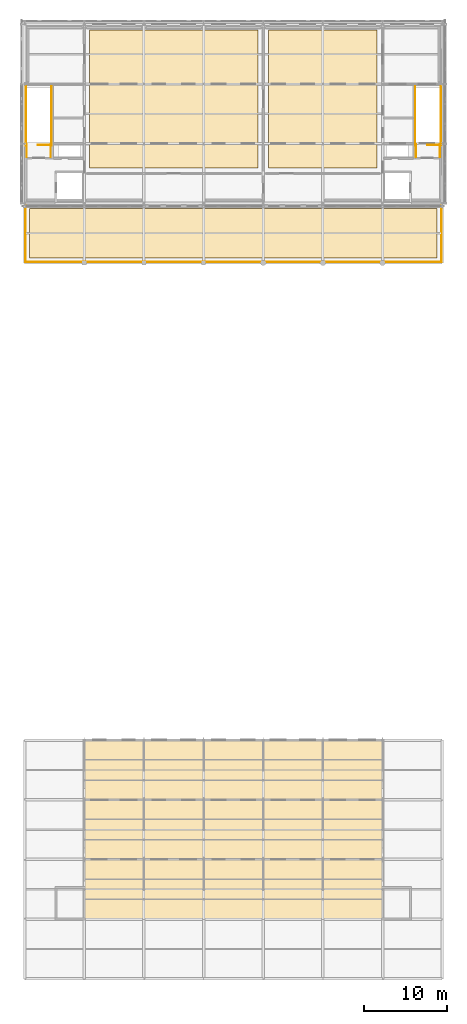
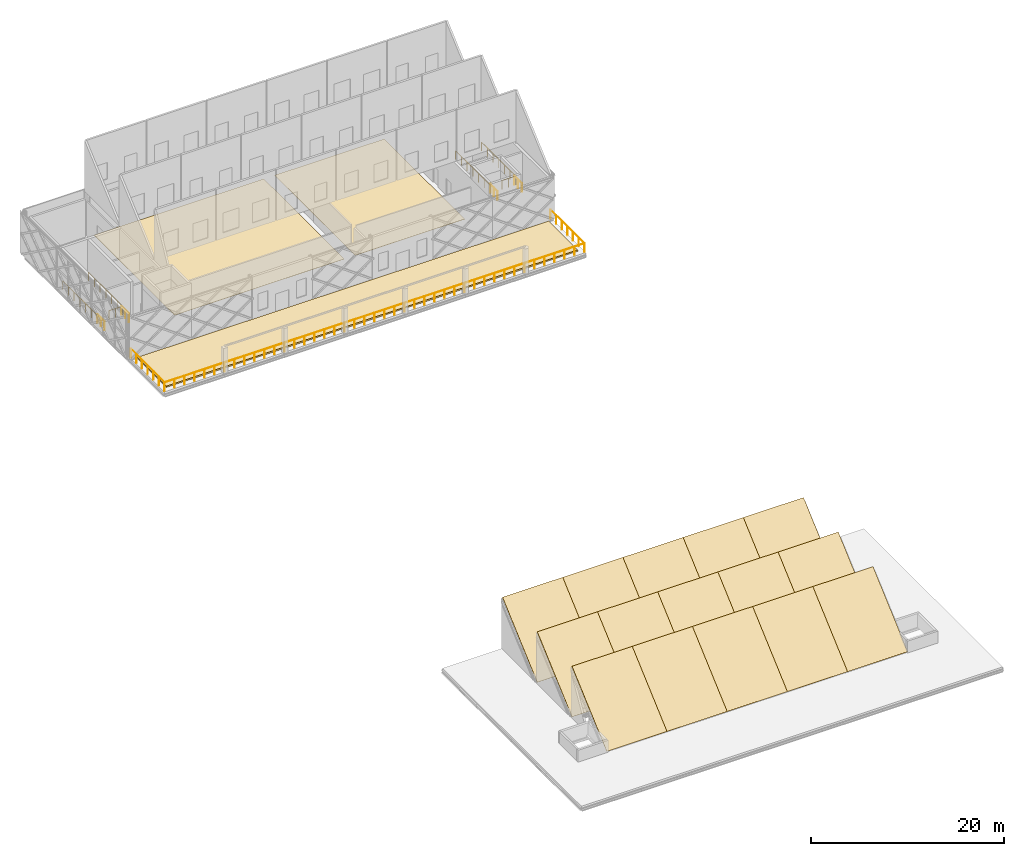
# One storey, part 31 of 31: 18 coverings, 11 railings, 15 elements without a shape of their own.
"""IFC4 building model written with IfcOpenShell, lengths in metres."""

from ifc_helpers import new_model, si_unit, direction, frame, origin, origin_2d, place, context, subcontext, project, spatial, polyline, circle, outline, extrude, material, layer, layer_set, type_object, element, aggregate, save


model = new_model("IFC4")

# Units and contexts
model_context = context("Model", 3, precision=1e-05, world=origin(), true_north=direction((0.0, 1.0)))
body_context = subcontext(model_context, "Body", "Model", "MODEL_VIEW")
ifc_project = project(units=[si_unit("LENGTHUNIT", "METRE"), si_unit("AREAUNIT", "SQUARE_METRE"), si_unit("VOLUMEUNIT", "CUBIC_METRE"), si_unit("PLANEANGLEUNIT", "RADIAN"), si_unit("MASSUNIT", "GRAM", prefix="KILO")], contexts=[model_context])

# Site, building, storey
site_placement = place(None, origin())
site = spatial("IfcSite", under=ifc_project, at=site_placement, CompositionType="ELEMENT")
building_placement = place(site_placement, origin())
building = spatial("IfcBuilding", under=site, at=building_placement, Name="Zlatovets Crest Museum", CompositionType="ELEMENT")
storey_placement = place(building_placement, frame((0.0, 0.0, 25.199951171875)))
storey = spatial("IfcBuildingStorey", under=building, at=storey_placement, Name="L05", CompositionType="ELEMENT", Elevation=25.199951171875)

# Railing
ifc_material_1 = material(Name="Patinated bronze and laminated glass balustrade", Category="glass")
railing_type_1 = type_object("IfcRailingType", Name="Balustrade_BL01", PredefinedType="BALUSTRADE", material=ifc_material_1)
railing_1_placement = place(storey_placement, frame((57.699951171875, 93.5, 0.0)))
element("IfcRailing", 1, at=railing_1_placement, inside=storey, type_object=railing_type_1, Name="L05 Crest Belvedere Terrace Guard BL-01", PredefinedType="BALUSTRADE", context=body_context, shape_type="SweptSolid", body=[
    extrude(circle(Radius=0.02392578125, at=origin_2d()), frame((0.0, 0.0, 1.1259765625), z_axis=(0.0, -1.0, 0.0), x_axis=(1.0, 0.0, 0.0)), (0.0, 0.0, 1.0), 7.0),
    extrude(circle(Radius=0.02392578125, at=origin_2d()), frame((0.0, -7.0, 1.1259765625), z_axis=(1.0, 0.0, 0.0), x_axis=(0.0, 1.0, 0.0)), (0.0, 0.0, 1.0), 50.199951171875),
    extrude(circle(Radius=0.02392578125, at=origin_2d()), frame((50.199951171875, -7.0, 1.1259765625), z_axis=(0.0, 1.0, 0.0), x_axis=(-1.0, 0.0, 0.0)), (0.0, 0.0, 1.0), 7.0),
    extrude(circle(Radius=0.02099609375, at=origin_2d()), origin(), (0.0, 0.0, 1.0), 1.101806640625),
    extrude(circle(Radius=0.02099609375, at=origin_2d()), frame((0.0, -1.166748046875, 0.0)), (0.0, 0.0, 1.0), 1.101806640625),
    extrude(circle(Radius=0.02099609375, at=origin_2d()), frame((0.0, -2.333251953125, 0.0)), (0.0, 0.0, 1.0), 1.101806640625),
    extrude(circle(Radius=0.02099609375, at=origin_2d()), frame((0.0, -3.5, 0.0)), (0.0, 0.0, 1.0), 1.101806640625),
    extrude(circle(Radius=0.02099609375, at=origin_2d()), frame((0.0, -4.666748046875, 0.0)), (0.0, 0.0, 1.0), 1.101806640625),
    extrude(circle(Radius=0.02099609375, at=origin_2d()), frame((0.0, -5.833251953125, 0.0)), (0.0, 0.0, 1.0), 1.101806640625),
    extrude(circle(Radius=0.02099609375, at=origin_2d()), frame((0.0, -7.0, 0.0)), (0.0, 0.0, 1.0), 1.101806640625),
    extrude(circle(Radius=0.02099609375, at=origin_2d()), frame((1.1953125, -7.0, 0.0)), (0.0, 0.0, 1.0), 1.101806640625),
    extrude(circle(Radius=0.02099609375, at=origin_2d()), frame((2.390380859375, -7.0, 0.0)), (0.0, 0.0, 1.0), 1.101806640625),
    extrude(circle(Radius=0.02099609375, at=origin_2d()), frame((3.585693359375, -7.0, 0.0)), (0.0, 0.0, 1.0), 1.101806640625),
    extrude(circle(Radius=0.02099609375, at=origin_2d()), frame((4.781005859375, -7.0, 0.0)), (0.0, 0.0, 1.0), 1.101806640625),
    extrude(circle(Radius=0.02099609375, at=origin_2d()), frame((5.97607421875, -7.0, 0.0)), (0.0, 0.0, 1.0), 1.101806640625),
    extrude(circle(Radius=0.02099609375, at=origin_2d()), frame((7.17138671875, -7.0, 0.0)), (0.0, 0.0, 1.0), 1.101806640625),
    extrude(circle(Radius=0.02099609375, at=origin_2d()), frame((8.36669921875, -7.0, 0.0)), (0.0, 0.0, 1.0), 1.101806640625),
    extrude(circle(Radius=0.02099609375, at=origin_2d()), frame((9.56201171875, -7.0, 0.0)), (0.0, 0.0, 1.0), 1.101806640625),
    extrude(circle(Radius=0.02099609375, at=origin_2d()), frame((10.757080078125, -7.0, 0.0)), (0.0, 0.0, 1.0), 1.101806640625),
    extrude(circle(Radius=0.02099609375, at=origin_2d()), frame((11.952392578125, -7.0, 0.0)), (0.0, 0.0, 1.0), 1.101806640625),
    extrude(circle(Radius=0.02099609375, at=origin_2d()), frame((13.147705078125, -7.0, 0.0)), (0.0, 0.0, 1.0), 1.101806640625),
    extrude(circle(Radius=0.02099609375, at=origin_2d()), frame((14.3427734375, -7.0, 0.0)), (0.0, 0.0, 1.0), 1.101806640625),
    extrude(circle(Radius=0.02099609375, at=origin_2d()), frame((15.5380859375, -7.0, 0.0)), (0.0, 0.0, 1.0), 1.101806640625),
    extrude(circle(Radius=0.02099609375, at=origin_2d()), frame((16.7333984375, -7.0, 0.0)), (0.0, 0.0, 1.0), 1.101806640625),
    extrude(circle(Radius=0.02099609375, at=origin_2d()), frame((17.928466796875, -7.0, 0.0)), (0.0, 0.0, 1.0), 1.101806640625),
    extrude(circle(Radius=0.02099609375, at=origin_2d()), frame((19.123779296875, -7.0, 0.0)), (0.0, 0.0, 1.0), 1.101806640625),
    extrude(circle(Radius=0.02099609375, at=origin_2d()), frame((20.319091796875, -7.0, 0.0)), (0.0, 0.0, 1.0), 1.101806640625),
    extrude(circle(Radius=0.02099609375, at=origin_2d()), frame((21.51416015625, -7.0, 0.0)), (0.0, 0.0, 1.0), 1.101806640625),
    extrude(circle(Radius=0.02099609375, at=origin_2d()), frame((22.70947265625, -7.0, 0.0)), (0.0, 0.0, 1.0), 1.101806640625),
    extrude(circle(Radius=0.02099609375, at=origin_2d()), frame((23.90478515625, -7.0, 0.0)), (0.0, 0.0, 1.0), 1.101806640625),
    extrude(circle(Radius=0.02099609375, at=origin_2d()), frame((25.10009765625, -7.0, 0.0)), (0.0, 0.0, 1.0), 1.101806640625),
    extrude(circle(Radius=0.02099609375, at=origin_2d()), frame((26.295166015625, -7.0, 0.0)), (0.0, 0.0, 1.0), 1.101806640625),
    extrude(circle(Radius=0.02099609375, at=origin_2d()), frame((27.490478515625, -7.0, 0.0)), (0.0, 0.0, 1.0), 1.101806640625),
    extrude(circle(Radius=0.02099609375, at=origin_2d()), frame((28.685791015625, -7.0, 0.0)), (0.0, 0.0, 1.0), 1.101806640625),
    extrude(circle(Radius=0.02099609375, at=origin_2d()), frame((29.880859375, -7.0, 0.0)), (0.0, 0.0, 1.0), 1.101806640625),
    extrude(circle(Radius=0.02099609375, at=origin_2d()), frame((31.076171875, -7.0, 0.0)), (0.0, 0.0, 1.0), 1.101806640625),
    extrude(circle(Radius=0.02099609375, at=origin_2d()), frame((32.271484375, -7.0, 0.0)), (0.0, 0.0, 1.0), 1.101806640625),
    extrude(circle(Radius=0.02099609375, at=origin_2d()), frame((33.466552734375, -7.0, 0.0)), (0.0, 0.0, 1.0), 1.101806640625),
    extrude(circle(Radius=0.02099609375, at=origin_2d()), frame((34.661865234375, -7.0, 0.0)), (0.0, 0.0, 1.0), 1.101806640625),
    extrude(circle(Radius=0.02099609375, at=origin_2d()), frame((35.857177734375, -7.0, 0.0)), (0.0, 0.0, 1.0), 1.101806640625),
    extrude(circle(Radius=0.02099609375, at=origin_2d()), frame((37.05224609375, -7.0, 0.0)), (0.0, 0.0, 1.0), 1.101806640625),
    extrude(circle(Radius=0.02099609375, at=origin_2d()), frame((38.24755859375, -7.0, 0.0)), (0.0, 0.0, 1.0), 1.101806640625),
    extrude(circle(Radius=0.02099609375, at=origin_2d()), frame((39.44287109375, -7.0, 0.0)), (0.0, 0.0, 1.0), 1.101806640625),
    extrude(circle(Radius=0.02099609375, at=origin_2d()), frame((40.637939453125, -7.0, 0.0)), (0.0, 0.0, 1.0), 1.101806640625),
    extrude(circle(Radius=0.02099609375, at=origin_2d()), frame((41.833251953125, -7.0, 0.0)), (0.0, 0.0, 1.0), 1.101806640625),
    extrude(circle(Radius=0.02099609375, at=origin_2d()), frame((43.028564453125, -7.0, 0.0)), (0.0, 0.0, 1.0), 1.101806640625),
    extrude(circle(Radius=0.02099609375, at=origin_2d()), frame((44.223876953125, -7.0, 0.0)), (0.0, 0.0, 1.0), 1.101806640625),
    extrude(circle(Radius=0.02099609375, at=origin_2d()), frame((45.4189453125, -7.0, 0.0)), (0.0, 0.0, 1.0), 1.101806640625),
    extrude(circle(Radius=0.02099609375, at=origin_2d()), frame((46.6142578125, -7.0, 0.0)), (0.0, 0.0, 1.0), 1.101806640625),
    extrude(circle(Radius=0.02099609375, at=origin_2d()), frame((47.8095703125, -7.0, 0.0)), (0.0, 0.0, 1.0), 1.101806640625),
    extrude(circle(Radius=0.02099609375, at=origin_2d()), frame((49.004638671875, -7.0, 0.0)), (0.0, 0.0, 1.0), 1.101806640625),
    extrude(circle(Radius=0.02099609375, at=origin_2d()), frame((50.199951171875, -7.0, 0.0)), (0.0, 0.0, 1.0), 1.101806640625),
    extrude(circle(Radius=0.02099609375, at=origin_2d()), frame((50.199951171875, -5.833251953125, 0.0)), (0.0, 0.0, 1.0), 1.101806640625),
    extrude(circle(Radius=0.02099609375, at=origin_2d()), frame((50.199951171875, -4.666748046875, 0.0)), (0.0, 0.0, 1.0), 1.101806640625),
    extrude(circle(Radius=0.02099609375, at=origin_2d()), frame((50.199951171875, -3.5, 0.0)), (0.0, 0.0, 1.0), 1.101806640625),
    extrude(circle(Radius=0.02099609375, at=origin_2d()), frame((50.199951171875, -2.333251953125, 0.0)), (0.0, 0.0, 1.0), 1.101806640625),
    extrude(circle(Radius=0.02099609375, at=origin_2d()), frame((50.199951171875, -1.166748046875, 0.0)), (0.0, 0.0, 1.0), 1.101806640625),
    extrude(circle(Radius=0.02099609375, at=origin_2d()), frame((50.199951171875, 0.0, 0.0)), (0.0, 0.0, 1.0), 1.101806640625),
])

# Coverings
ifc_material_2 = material(Name="Quarter-sawn European oak herringbone gallery parquet")
ifc_layer_1 = layer(ifc_material_2, 0.030029296875)
ifc_layer_set_1 = layer_set([ifc_layer_1], Name="Quarter-sawn European oak herringbone gallery parquet")
covering_type_1 = type_object("IfcCoveringType", Name="GalleryFloor_FLR1", PredefinedType="FLOORING", material=ifc_layer_set_1)
covering_1_placement = place(storey_placement, origin())
element("IfcCovering", 2, at=covering_1_placement, inside=storey, type_object=covering_type_1, Name="Top-Lit North-Light Masterworks Gallery Floor Finish", PredefinedType="FLOORING", context=body_context, shape_type="SweptSolid", body=[
    extrude(outline(polyline([(65.449951171875, 97.85009765625), (85.75, 97.85009765625), (85.75, 114.550048828125), (65.449951171875, 114.550048828125), (65.449951171875, 97.85009765625)])), origin(), (0.0, 0.0, 1.0), 0.030029296875),
])
covering_2_placement = place(storey_placement, origin())
element("IfcCovering", 3, at=covering_2_placement, inside=storey, type_object=covering_type_1, Name="Top-Lit Graphic and Drawing Cabinet Floor Finish", PredefinedType="FLOORING", context=body_context, shape_type="SweptSolid", body=[
    extrude(outline(polyline([(87.050048828125, 97.85009765625), (100.14990234375, 97.85009765625), (100.14990234375, 114.550048828125), (87.050048828125, 114.550048828125), (87.050048828125, 97.85009765625)])), origin(), (0.0, 0.0, 1.0), 0.030029296875),
])
ifc_material_3 = material(Name="Planted sedum and perennial roof-garden substrate")
ifc_layer_2 = layer(ifc_material_3, 0.179931640625)
ifc_layer_set_2 = layer_set([ifc_layer_2], Name="Planted sedum and perennial roof-garden substrate")
covering_type_2 = type_object("IfcCoveringType", Name="RoofCov_Garden", PredefinedType="ROOFING", material=ifc_layer_set_2)
covering_3_placement = place(storey_placement, origin())
element("IfcCovering", 4, at=covering_3_placement, inside=storey, type_object=covering_type_2, Name="L05 Crest Belvedere Planted Terrace Layer", PredefinedType="ROOFING", context=body_context, shape_type="SweptSolid", body=[
    extrude(outline(polyline([(58.199951171875, 87.0), (107.39990234375, 87.0), (107.39990234375, 93.0), (58.199951171875, 93.0), (58.199951171875, 87.0)])), origin(), (0.0, 0.0, 1.0), 0.179931640625),
])

# Roof, covering
ifc_material_4 = material(Name="Pre-patinated copper-zinc standing seam on steel deck", Category="steel")
ifc_layer_3 = layer(ifc_material_4, 0.199951171875)
ifc_layer_set_3 = layer_set([ifc_layer_3], Name="Pre-patinated copper-zinc standing seam on steel deck")
roof_type = type_object("IfcRoofType", Name="Roof_Sawtooth_Main", PredefinedType="SHED_ROOF", material=ifc_layer_set_3)
roof_1_placement = place(storey_placement, origin())
roof_1 = element("IfcRoof", 5, at=roof_1_placement, inside=storey, type_object=roof_type, Name="V2 North-Light Sawtooth Tooth 1 Bay 1", PredefinedType="SHED_ROOF")
ifc_material_5 = material(Name="Pre-patinated copper-zinc standing-seam roofing")
ifc_layer_4 = layer(ifc_material_5, 0.06005859375)
ifc_layer_set_4 = layer_set([ifc_layer_4], Name="Pre-patinated copper-zinc standing-seam roofing")
covering_type_3 = type_object("IfcCoveringType", Name="RoofCov_Zinc", PredefinedType="ROOFING", material=ifc_layer_set_4)
covering_4_placement = place(storey_placement, frame((64.800048828125, 7.199951171875, 0.06005859375), z_axis=(0.0, -0.664360692705, 0.747412115227), x_axis=(1.0, 0.0, 0.0)))
covering_4 = element("IfcCovering", 6, at=covering_4_placement, type_object=covering_type_3, Name="V2 Sawtooth Tooth 1 Copper-Zinc Standing Seam Bay 1", PredefinedType="ROOFING", context=body_context, shape_type="SweptSolid", body=[
    extrude(outline(polyline([(0.0, 0.0), (7.199951171875, 0.0), (7.199951171875, 9.633174289242406), (0.0, 9.633174289242406), (0.0, 0.0)])), origin(), (0.0, 0.0, -1.0), 0.06005859375),
])
aggregate(roof_1, [covering_4])

roof_2_placement = place(storey_placement, origin())
roof_2 = element("IfcRoof", 7, at=roof_2_placement, inside=storey, type_object=roof_type, Name="V2 North-Light Sawtooth Tooth 1 Bay 2", PredefinedType="SHED_ROOF")
covering_5_placement = place(storey_placement, frame((72.0, 7.199951171875, 0.06005859375), z_axis=(0.0, -0.664360692705, 0.747412115227), x_axis=(1.0, 0.0, 0.0)))
covering_5 = element("IfcCovering", 8, at=covering_5_placement, type_object=covering_type_3, Name="V2 Sawtooth Tooth 1 Copper-Zinc Standing Seam Bay 2", PredefinedType="ROOFING", context=body_context, shape_type="SweptSolid", body=[
    extrude(outline(polyline([(0.0, 0.0), (7.199951171875, 0.0), (7.199951171875, 9.633174289242406), (0.0, 9.633174289242406), (0.0, 0.0)])), origin(), (0.0, 0.0, -1.0), 0.06005859375),
])
aggregate(roof_2, [covering_5])

roof_3_placement = place(storey_placement, origin())
roof_3 = element("IfcRoof", 9, at=roof_3_placement, inside=storey, type_object=roof_type, Name="V2 North-Light Sawtooth Tooth 1 Bay 3", PredefinedType="SHED_ROOF")
covering_6_placement = place(storey_placement, frame((79.199951171875, 7.199951171875, 0.06005859375), z_axis=(0.0, -0.664360692705, 0.747412115227), x_axis=(1.0, 0.0, 0.0)))
covering_6 = element("IfcCovering", 10, at=covering_6_placement, type_object=covering_type_3, Name="V2 Sawtooth Tooth 1 Copper-Zinc Standing Seam Bay 3", PredefinedType="ROOFING", context=body_context, shape_type="SweptSolid", body=[
    extrude(outline(polyline([(0.0, 0.0), (7.199951171875, 0.0), (7.199951171875, 9.633174289242406), (0.0, 9.633174289242406), (0.0, 0.0)])), origin(), (0.0, 0.0, -1.0), 0.06005859375),
])
aggregate(roof_3, [covering_6])

roof_4_placement = place(storey_placement, origin())
roof_4 = element("IfcRoof", 11, at=roof_4_placement, inside=storey, type_object=roof_type, Name="V2 North-Light Sawtooth Tooth 1 Bay 4", PredefinedType="SHED_ROOF")
covering_7_placement = place(storey_placement, frame((86.39990234375, 7.199951171875, 0.06005859375), z_axis=(0.0, -0.664360692705, 0.747412115227), x_axis=(1.0, 0.0, 0.0)))
covering_7 = element("IfcCovering", 12, at=covering_7_placement, type_object=covering_type_3, Name="V2 Sawtooth Tooth 1 Copper-Zinc Standing Seam Bay 4", PredefinedType="ROOFING", context=body_context, shape_type="SweptSolid", body=[
    extrude(outline(polyline([(0.0, 0.0), (7.2001953125, 0.0), (7.2001953125, 9.633174289242405), (0.0, 9.633174289242405), (0.0, 0.0)])), origin(), (0.0, 0.0, -1.0), 0.06005859375),
])
aggregate(roof_4, [covering_7])

roof_5_placement = place(storey_placement, origin())
roof_5 = element("IfcRoof", 13, at=roof_5_placement, inside=storey, type_object=roof_type, Name="V2 North-Light Sawtooth Tooth 1 Bay 5", PredefinedType="SHED_ROOF")
covering_8_placement = place(storey_placement, frame((93.60009765625, 7.199951171875, 0.06005859375), z_axis=(0.0, -0.664360692705, 0.747412115227), x_axis=(1.0, 0.0, 0.0)))
covering_8 = element("IfcCovering", 14, at=covering_8_placement, type_object=covering_type_3, Name="V2 Sawtooth Tooth 1 Copper-Zinc Standing Seam Bay 5", PredefinedType="ROOFING", context=body_context, shape_type="SweptSolid", body=[
    extrude(outline(polyline([(0.0, 0.0), (7.199951171875, 0.0), (7.199951171875, 9.633174289242406), (0.0, 9.633174289242406), (0.0, 0.0)])), origin(), (0.0, 0.0, -1.0), 0.06005859375),
])
aggregate(roof_5, [covering_8])

roof_6_placement = place(storey_placement, origin())
roof_6 = element("IfcRoof", 15, at=roof_6_placement, inside=storey, type_object=roof_type, Name="V2 North-Light Sawtooth Tooth 2 Bay 1", PredefinedType="SHED_ROOF")
covering_9_placement = place(storey_placement, frame((64.800048828125, 14.39990234375, 0.06005859375), z_axis=(0.0, -0.664348108386, 0.747423301004), x_axis=(1.0, 0.0, 0.0)))
covering_9 = element("IfcCovering", 16, at=covering_9_placement, type_object=covering_type_3, Name="V2 Sawtooth Tooth 2 Copper-Zinc Standing Seam Bay 1", PredefinedType="ROOFING", context=body_context, shape_type="SweptSolid", body=[
    extrude(outline(polyline([(0.0, 0.0), (7.199951171875, 0.0), (7.199951171875, 9.633356764268811), (0.0, 9.633356764268811), (0.0, 0.0)])), origin(), (0.0, 0.0, -1.0), 0.06005859375),
])
aggregate(roof_6, [covering_9])

roof_7_placement = place(storey_placement, origin())
roof_7 = element("IfcRoof", 17, at=roof_7_placement, inside=storey, type_object=roof_type, Name="V2 North-Light Sawtooth Tooth 2 Bay 2", PredefinedType="SHED_ROOF")
covering_10_placement = place(storey_placement, frame((72.0, 14.39990234375, 0.06005859375), z_axis=(0.0, -0.664348108386, 0.747423301004), x_axis=(1.0, 0.0, 0.0)))
covering_10 = element("IfcCovering", 18, at=covering_10_placement, type_object=covering_type_3, Name="V2 Sawtooth Tooth 2 Copper-Zinc Standing Seam Bay 2", PredefinedType="ROOFING", context=body_context, shape_type="SweptSolid", body=[
    extrude(outline(polyline([(0.0, 0.0), (7.199951171875, 0.0), (7.199951171875, 9.633356764268811), (0.0, 9.633356764268811), (0.0, 0.0)])), origin(), (0.0, 0.0, -1.0), 0.06005859375),
])
aggregate(roof_7, [covering_10])

roof_8_placement = place(storey_placement, origin())
roof_8 = element("IfcRoof", 19, at=roof_8_placement, inside=storey, type_object=roof_type, Name="V2 North-Light Sawtooth Tooth 2 Bay 3", PredefinedType="SHED_ROOF")
covering_11_placement = place(storey_placement, frame((79.199951171875, 14.39990234375, 0.06005859375), z_axis=(0.0, -0.664348108386, 0.747423301004), x_axis=(1.0, 0.0, 0.0)))
covering_11 = element("IfcCovering", 20, at=covering_11_placement, type_object=covering_type_3, Name="V2 Sawtooth Tooth 2 Copper-Zinc Standing Seam Bay 3", PredefinedType="ROOFING", context=body_context, shape_type="SweptSolid", body=[
    extrude(outline(polyline([(0.0, 0.0), (7.199951171875, 0.0), (7.199951171875, 9.633356764268811), (0.0, 9.633356764268811), (0.0, 0.0)])), origin(), (0.0, 0.0, -1.0), 0.06005859375),
])
aggregate(roof_8, [covering_11])

roof_9_placement = place(storey_placement, origin())
roof_9 = element("IfcRoof", 21, at=roof_9_placement, inside=storey, type_object=roof_type, Name="V2 North-Light Sawtooth Tooth 2 Bay 4", PredefinedType="SHED_ROOF")
covering_12_placement = place(storey_placement, frame((86.39990234375, 14.39990234375, 0.06005859375), z_axis=(0.0, -0.664348108386, 0.747423301004), x_axis=(1.0, 0.0, 0.0)))
covering_12 = element("IfcCovering", 22, at=covering_12_placement, type_object=covering_type_3, Name="V2 Sawtooth Tooth 2 Copper-Zinc Standing Seam Bay 4", PredefinedType="ROOFING", context=body_context, shape_type="SweptSolid", body=[
    extrude(outline(polyline([(0.0, 0.0), (7.2001953125, 0.0), (7.2001953125, 9.633356764268814), (0.0, 9.633356764268814), (0.0, 0.0)])), origin(), (0.0, 0.0, -1.0), 0.06005859375),
])
aggregate(roof_9, [covering_12])

roof_10_placement = place(storey_placement, origin())
roof_10 = element("IfcRoof", 23, at=roof_10_placement, inside=storey, type_object=roof_type, Name="V2 North-Light Sawtooth Tooth 2 Bay 5", PredefinedType="SHED_ROOF")
covering_13_placement = place(storey_placement, frame((93.60009765625, 14.39990234375, 0.06005859375), z_axis=(0.0, -0.664348108386, 0.747423301004), x_axis=(1.0, 0.0, 0.0)))
covering_13 = element("IfcCovering", 24, at=covering_13_placement, type_object=covering_type_3, Name="V2 Sawtooth Tooth 2 Copper-Zinc Standing Seam Bay 5", PredefinedType="ROOFING", context=body_context, shape_type="SweptSolid", body=[
    extrude(outline(polyline([(0.0, 0.0), (7.199951171875, 0.0), (7.199951171875, 9.633356764268811), (0.0, 9.633356764268811), (0.0, 0.0)])), origin(), (0.0, 0.0, -1.0), 0.06005859375),
])
aggregate(roof_10, [covering_13])

roof_11_placement = place(storey_placement, origin())
roof_11 = element("IfcRoof", 25, at=roof_11_placement, inside=storey, type_object=roof_type, Name="V2 North-Light Sawtooth Tooth 3 Bay 1", PredefinedType="SHED_ROOF")
covering_14_placement = place(storey_placement, frame((64.800048828125, 21.60009765625, 0.06005859375), z_axis=(0.0, -0.664360692705, 0.747412115227), x_axis=(1.0, 0.0, 0.0)))
covering_14 = element("IfcCovering", 26, at=covering_14_placement, type_object=covering_type_3, Name="V2 Sawtooth Tooth 3 Copper-Zinc Standing Seam Bay 1", PredefinedType="ROOFING", context=body_context, shape_type="SweptSolid", body=[
    extrude(outline(polyline([(0.0, 0.0), (7.199951171875, 0.0), (7.199951171875, 9.633174289242406), (0.0, 9.633174289242406), (0.0, 0.0)])), origin(), (0.0, 0.0, -1.0), 0.06005859375),
])
aggregate(roof_11, [covering_14])

roof_12_placement = place(storey_placement, origin())
roof_12 = element("IfcRoof", 27, at=roof_12_placement, inside=storey, type_object=roof_type, Name="V2 North-Light Sawtooth Tooth 3 Bay 2", PredefinedType="SHED_ROOF")
covering_15_placement = place(storey_placement, frame((72.0, 21.60009765625, 0.06005859375), z_axis=(0.0, -0.664360692705, 0.747412115227), x_axis=(1.0, 0.0, 0.0)))
covering_15 = element("IfcCovering", 28, at=covering_15_placement, type_object=covering_type_3, Name="V2 Sawtooth Tooth 3 Copper-Zinc Standing Seam Bay 2", PredefinedType="ROOFING", context=body_context, shape_type="SweptSolid", body=[
    extrude(outline(polyline([(0.0, 0.0), (7.199951171875, 0.0), (7.199951171875, 9.633174289242406), (0.0, 9.633174289242406), (0.0, 0.0)])), origin(), (0.0, 0.0, -1.0), 0.06005859375),
])
aggregate(roof_12, [covering_15])

roof_13_placement = place(storey_placement, origin())
roof_13 = element("IfcRoof", 29, at=roof_13_placement, inside=storey, type_object=roof_type, Name="V2 North-Light Sawtooth Tooth 3 Bay 3", PredefinedType="SHED_ROOF")
covering_16_placement = place(storey_placement, frame((79.199951171875, 21.60009765625, 0.06005859375), z_axis=(0.0, -0.664360692705, 0.747412115227), x_axis=(1.0, 0.0, 0.0)))
covering_16 = element("IfcCovering", 30, at=covering_16_placement, type_object=covering_type_3, Name="V2 Sawtooth Tooth 3 Copper-Zinc Standing Seam Bay 3", PredefinedType="ROOFING", context=body_context, shape_type="SweptSolid", body=[
    extrude(outline(polyline([(0.0, 0.0), (7.199951171875, 0.0), (7.199951171875, 9.633174289242406), (0.0, 9.633174289242406), (0.0, 0.0)])), origin(), (0.0, 0.0, -1.0), 0.06005859375),
])
aggregate(roof_13, [covering_16])

roof_14_placement = place(storey_placement, origin())
roof_14 = element("IfcRoof", 31, at=roof_14_placement, inside=storey, type_object=roof_type, Name="V2 North-Light Sawtooth Tooth 3 Bay 4", PredefinedType="SHED_ROOF")
covering_17_placement = place(storey_placement, frame((86.39990234375, 21.60009765625, 0.06005859375), z_axis=(0.0, -0.664360692705, 0.747412115227), x_axis=(1.0, 0.0, 0.0)))
covering_17 = element("IfcCovering", 32, at=covering_17_placement, type_object=covering_type_3, Name="V2 Sawtooth Tooth 3 Copper-Zinc Standing Seam Bay 4", PredefinedType="ROOFING", context=body_context, shape_type="SweptSolid", body=[
    extrude(outline(polyline([(0.0, 0.0), (7.2001953125, 0.0), (7.2001953125, 9.633174289242405), (0.0, 9.633174289242405), (0.0, 0.0)])), origin(), (0.0, 0.0, -1.0), 0.06005859375),
])
aggregate(roof_14, [covering_17])

roof_15_placement = place(storey_placement, origin())
roof_15 = element("IfcRoof", 33, at=roof_15_placement, inside=storey, type_object=roof_type, Name="V2 North-Light Sawtooth Tooth 3 Bay 5", PredefinedType="SHED_ROOF")
covering_18_placement = place(storey_placement, frame((93.60009765625, 21.60009765625, 0.06005859375), z_axis=(0.0, -0.664360692705, 0.747412115227), x_axis=(1.0, 0.0, 0.0)))
covering_18 = element("IfcCovering", 34, at=covering_18_placement, type_object=covering_type_3, Name="V2 Sawtooth Tooth 3 Copper-Zinc Standing Seam Bay 5", PredefinedType="ROOFING", context=body_context, shape_type="SweptSolid", body=[
    extrude(outline(polyline([(0.0, 0.0), (7.199951171875, 0.0), (7.199951171875, 9.633174289242406), (0.0, 9.633174289242406), (0.0, 0.0)])), origin(), (0.0, 0.0, -1.0), 0.06005859375),
])
aggregate(roof_15, [covering_18])

# Railings
ifc_material_6 = material(Name="Painted steel safety guardrail", Category="steel")
railing_type_2 = type_object("IfcRailingType", Name="StairGuard_SG01", PredefinedType="GUARDRAIL", material=ifc_material_6)
railing_2_placement = place(storey_placement, frame((60.800048828125, 100.64990234375, 0.0)))
element("IfcRailing", 35, at=railing_2_placement, inside=storey, type_object=railing_type_2, Name="L05 ST1 top well guard 1", PredefinedType="GUARDRAIL", context=body_context, shape_type="SweptSolid", body=[
    extrude(circle(Radius=0.02392578125, at=origin_2d()), frame((0.0, 0.0, 1.076171875), z_axis=(-1.0, 0.0, 0.0), x_axis=(0.0, -1.0, 0.0)), (0.0, 0.0, 1.0), 1.60009765625),
    extrude(circle(Radius=0.02099609375, at=origin_2d()), origin(), (0.0, 0.0, 1.0), 1.052001953125),
    extrude(circle(Radius=0.02099609375, at=origin_2d()), frame((-0.800048828125, 0.0, 0.0)), (0.0, 0.0, 1.0), 1.052001953125),
    extrude(circle(Radius=0.02099609375, at=origin_2d()), frame((-1.60009765625, 0.0, 0.0)), (0.0, 0.0, 1.0), 1.052001953125),
])
for number, where, name in (
    (36, (60.85009765625, 100.60009765625, 0.0), "L05 ST1 top well guard 2"),
    (37, (57.75, 100.60009765625, 0.0), "L05 ST1 top well guard 3"),
):
    element("IfcRailing", number, at=place(storey_placement, frame(where)), inside=storey, type_object=railing_type_2, Name=name, PredefinedType="GUARDRAIL", context=body_context, shape_type="SweptSolid", body=[
        extrude(circle(Radius=0.02392578125, at=origin_2d()), frame((0.0, 0.0, 1.076171875), z_axis=(0.0, 1.0, 0.0), x_axis=(-1.0, 0.0, 0.0)), (0.0, 0.0, 1.0), 7.099853515625),
        extrude(circle(Radius=0.02099609375, at=origin_2d()), origin(), (0.0, 0.0, 1.0), 1.052001953125),
        extrude(circle(Radius=0.02099609375, at=origin_2d()), frame((0.0, 1.183349609375, 0.0)), (0.0, 0.0, 1.0), 1.052001953125),
        extrude(circle(Radius=0.02099609375, at=origin_2d()), frame((0.0, 2.36669921875, 0.0)), (0.0, 0.0, 1.0), 1.052001953125),
        extrude(circle(Radius=0.02099609375, at=origin_2d()), frame((0.0, 3.5498046875, 0.0)), (0.0, 0.0, 1.0), 1.052001953125),
        extrude(circle(Radius=0.02099609375, at=origin_2d()), frame((0.0, 4.733154296875, 0.0)), (0.0, 0.0, 1.0), 1.052001953125),
        extrude(circle(Radius=0.02099609375, at=origin_2d()), frame((0.0, 5.91650390625, 0.0)), (0.0, 0.0, 1.0), 1.052001953125),
        extrude(circle(Radius=0.02099609375, at=origin_2d()), frame((0.0, 7.099853515625, 0.0)), (0.0, 0.0, 1.0), 1.052001953125),
    ])
for number, where, name in (
    (38, (60.75, 99.199951171875, 0.0), "L05 ST1 top well guard 4"),
    (39, (57.85009765625, 99.199951171875, 0.0), "L05 ST1 top well guard 5"),
):
    element("IfcRailing", number, at=place(storey_placement, frame(where)), inside=storey, type_object=railing_type_2, Name=name, PredefinedType="GUARDRAIL", context=body_context, shape_type="SweptSolid", body=[
        extrude(circle(Radius=0.02392578125, at=origin_2d()), frame((0.0, 0.0, 1.076171875), z_axis=(0.0, 1.0, 0.0), x_axis=(-1.0, 0.0, 0.0)), (0.0, 0.0, 1.0), 1.5),
        extrude(circle(Radius=0.02099609375, at=origin_2d()), origin(), (0.0, 0.0, 1.0), 1.052001953125),
        extrude(circle(Radius=0.02099609375, at=origin_2d()), frame((0.0, 0.75, 0.0)), (0.0, 0.0, 1.0), 1.052001953125),
        extrude(circle(Radius=0.02099609375, at=origin_2d()), frame((0.0, 1.5, 0.0)), (0.0, 0.0, 1.0), 1.052001953125),
    ])
railing_3_placement = place(storey_placement, frame((107.800048828125, 100.64990234375, 0.0)))
element("IfcRailing", 40, at=railing_3_placement, inside=storey, type_object=railing_type_2, Name="L05 ST7 top well guard 1", PredefinedType="GUARDRAIL", context=body_context, shape_type="SweptSolid", body=[
    extrude(circle(Radius=0.02392578125, at=origin_2d()), frame((0.0, 0.0, 1.076171875), z_axis=(-1.0, 0.0, 0.0), x_axis=(0.0, -1.0, 0.0)), (0.0, 0.0, 1.0), 1.60009765625),
    extrude(circle(Radius=0.02099609375, at=origin_2d()), origin(), (0.0, 0.0, 1.0), 1.052001953125),
    extrude(circle(Radius=0.02099609375, at=origin_2d()), frame((-0.800048828125, 0.0, 0.0)), (0.0, 0.0, 1.0), 1.052001953125),
    extrude(circle(Radius=0.02099609375, at=origin_2d()), frame((-1.60009765625, 0.0, 0.0)), (0.0, 0.0, 1.0), 1.052001953125),
])
for number, where, name in (
    (41, (107.85009765625, 100.60009765625, 0.0), "L05 ST7 top well guard 2"),
    (42, (104.75, 100.60009765625, 0.0), "L05 ST7 top well guard 3"),
):
    element("IfcRailing", number, at=place(storey_placement, frame(where)), inside=storey, type_object=railing_type_2, Name=name, PredefinedType="GUARDRAIL", context=body_context, shape_type="SweptSolid", body=[
        extrude(circle(Radius=0.02392578125, at=origin_2d()), frame((0.0, 0.0, 1.076171875), z_axis=(0.0, 1.0, 0.0), x_axis=(-1.0, 0.0, 0.0)), (0.0, 0.0, 1.0), 7.099853515625),
        extrude(circle(Radius=0.02099609375, at=origin_2d()), origin(), (0.0, 0.0, 1.0), 1.052001953125),
        extrude(circle(Radius=0.02099609375, at=origin_2d()), frame((0.0, 1.183349609375, 0.0)), (0.0, 0.0, 1.0), 1.052001953125),
        extrude(circle(Radius=0.02099609375, at=origin_2d()), frame((0.0, 2.36669921875, 0.0)), (0.0, 0.0, 1.0), 1.052001953125),
        extrude(circle(Radius=0.02099609375, at=origin_2d()), frame((0.0, 3.5498046875, 0.0)), (0.0, 0.0, 1.0), 1.052001953125),
        extrude(circle(Radius=0.02099609375, at=origin_2d()), frame((0.0, 4.733154296875, 0.0)), (0.0, 0.0, 1.0), 1.052001953125),
        extrude(circle(Radius=0.02099609375, at=origin_2d()), frame((0.0, 5.91650390625, 0.0)), (0.0, 0.0, 1.0), 1.052001953125),
        extrude(circle(Radius=0.02099609375, at=origin_2d()), frame((0.0, 7.099853515625, 0.0)), (0.0, 0.0, 1.0), 1.052001953125),
    ])
for number, where, name in (
    (43, (107.75, 99.199951171875, 0.0), "L05 ST7 top well guard 4"),
    (44, (104.85009765625, 99.199951171875, 0.0), "L05 ST7 top well guard 5"),
):
    element("IfcRailing", number, at=place(storey_placement, frame(where)), inside=storey, type_object=railing_type_2, Name=name, PredefinedType="GUARDRAIL", context=body_context, shape_type="SweptSolid", body=[
        extrude(circle(Radius=0.02392578125, at=origin_2d()), frame((0.0, 0.0, 1.076171875), z_axis=(0.0, 1.0, 0.0), x_axis=(-1.0, 0.0, 0.0)), (0.0, 0.0, 1.0), 1.5),
        extrude(circle(Radius=0.02099609375, at=origin_2d()), origin(), (0.0, 0.0, 1.0), 1.052001953125),
        extrude(circle(Radius=0.02099609375, at=origin_2d()), frame((0.0, 0.75, 0.0)), (0.0, 0.0, 1.0), 1.052001953125),
        extrude(circle(Radius=0.02099609375, at=origin_2d()), frame((0.0, 1.5, 0.0)), (0.0, 0.0, 1.0), 1.052001953125),
    ])

save(model, "model.ifc")
